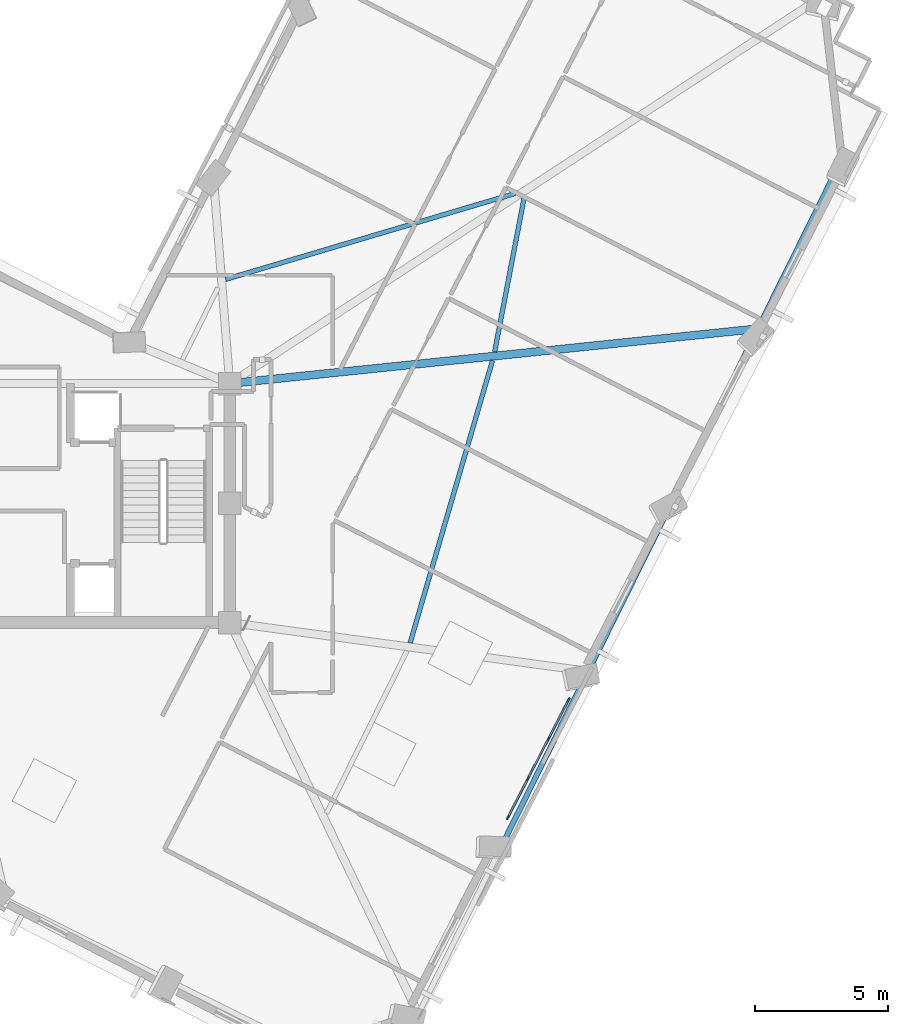
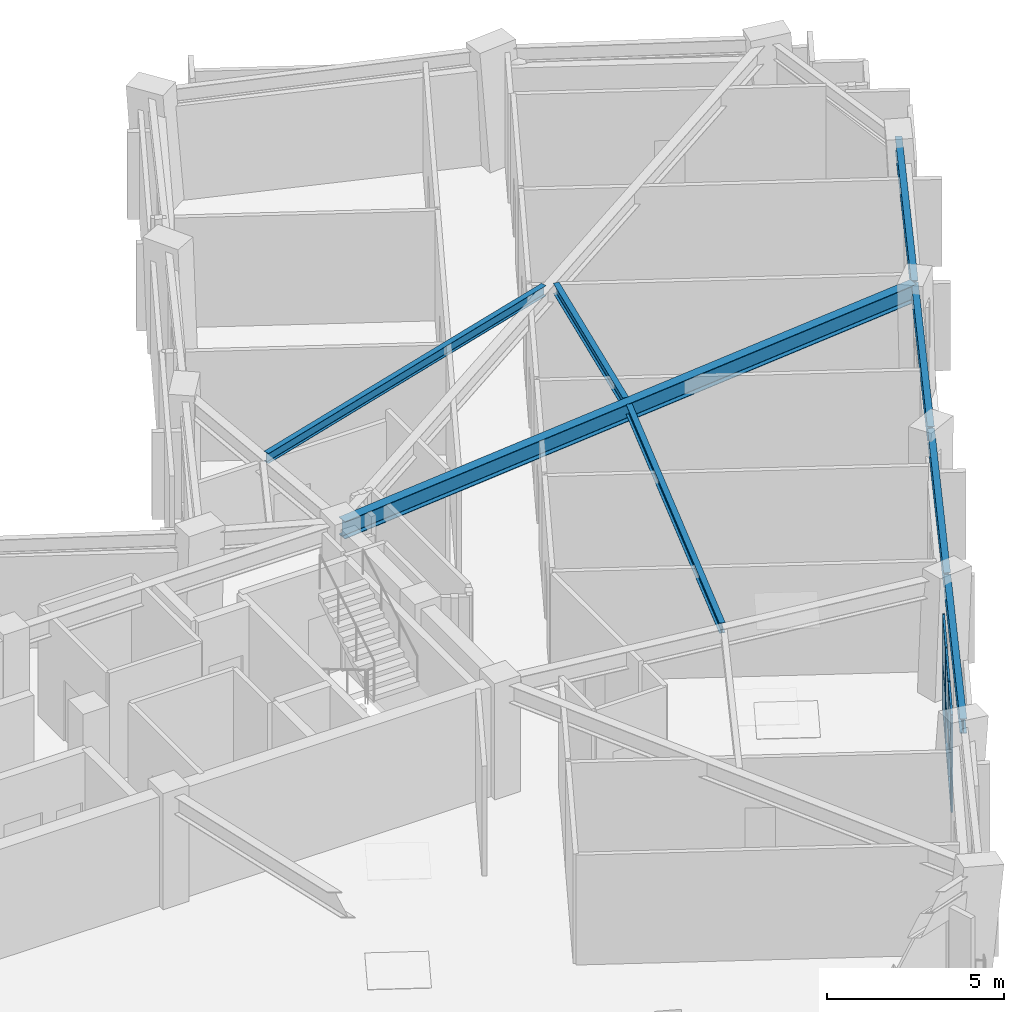
# One storey, part 2 of 11: 13 members, 8 beams, 1 element without a shape of its own.
"""IFC4 building model written with IfcOpenShell, lengths in metres."""

from ifc_helpers import new_model, si_unit, direction, frame, origin, origin_2d, place, context, subcontext, project, spatial, rectangle, i_section, extrude, material, material_profile, profile_set, type_object, element, aggregate, save


model = new_model("IFC4")

# Units and contexts
model_context = context("Model", 3, precision=1e-05, world=origin(), true_north=direction((0.0, 1.0)))
body_context = subcontext(model_context, "Body", "Model", "MODEL_VIEW")
ifc_project = project(units=[si_unit("LENGTHUNIT", "METRE"), si_unit("AREAUNIT", "SQUARE_METRE"), si_unit("VOLUMEUNIT", "CUBIC_METRE"), si_unit("PLANEANGLEUNIT", "RADIAN"), si_unit("MASSUNIT", "GRAM", prefix="KILO")], contexts=[model_context])

# Site, building, storey
site_placement = place(None, origin())
site = spatial("IfcSite", under=ifc_project, at=site_placement, CompositionType="ELEMENT")
building_placement = place(site_placement, origin())
building = spatial("IfcBuilding", under=site, at=building_placement, Name="Gaonmaruhae Medical Tower", CompositionType="ELEMENT")
storey_placement = place(building_placement, frame((0.0, 0.0, 292.60009765625)))
storey = spatial("IfcBuildingStorey", under=building, at=storey_placement, Name="L70", CompositionType="ELEMENT", Elevation=292.60009765625)

# Curtain wall, members
ifc_material_1 = material(Name="Anodised aluminium and Low-E double glazing", Category="aluminium")
curtain_wall_type = type_object("IfcCurtainWallType", Name="CW-S3 Spiralling Dayroom Ribbon Curtain Wall", PredefinedType="NOTDEFINED", material=ifc_material_1)
curtain_wall_placement = place(storey_placement, origin())
curtain_wall = element("IfcCurtainWall", 1, at=curtain_wall_placement, inside=storey, type_object=curtain_wall_type, Name="L70 Curtain Wall CW-L70-S02", PredefinedType="NOTDEFINED")
ifc_material_2 = material(Name="Anodised aluminium 6063-T6", Category="aluminium")
ifc_material_profile_1 = material_profile(ifc_material_2, rectangle(XDim=0.06494140625, YDim=0.179931640625, at=origin_2d()), Name="CWM-65x180")
ifc_profile_set_1 = profile_set([ifc_material_profile_1], Name="Anodised aluminium 6063-T6")
member_type_1 = type_object("IfcMemberType", Name="CWM-2 Tower Feature Curtain Wall Mullion (CWM-65x180)", PredefinedType="MULLION", material=ifc_profile_set_1)
member_1_placement = place(storey_placement, frame((48.35791015625, 4.880859375, 0.0), z_axis=(0.0, 0.0, 1.0), x_axis=(0.888623789366, -0.458636850866, 0.0)))
member_1 = element("IfcMember", 2, at=member_1_placement, type_object=member_type_1, Name="CW-S3 mullion 1", PredefinedType="MULLION", context=body_context, shape_type="SweptSolid", body=[
    extrude(rectangle(XDim=0.06494140625, YDim=0.179931640625, at=origin_2d()), origin(), (0.0, 0.0, 1.0), 3.264892578125),
])
member_2_placement = place(storey_placement, frame((47.602783203125, 3.417724609375, 0.0), z_axis=(0.0, 0.0, 1.0), x_axis=(0.888623789366, -0.458636850866, 0.0)))
member_2 = element("IfcMember", 3, at=member_2_placement, type_object=member_type_1, Name="CW-S3 mullion 2", PredefinedType="MULLION", context=body_context, shape_type="SweptSolid", body=[
    extrude(rectangle(XDim=0.06494140625, YDim=0.179931640625, at=origin_2d()), origin(), (0.0, 0.0, 1.0), 3.264892578125),
])
member_3_placement = place(storey_placement, frame((46.832763671875, 1.92578125, 0.0), z_axis=(0.0, 0.0, 1.0), x_axis=(0.888623789366, -0.458636850866, 0.0)))
member_3 = element("IfcMember", 4, at=member_3_placement, type_object=member_type_1, Name="CW-S3 mullion 3", PredefinedType="MULLION", context=body_context, shape_type="SweptSolid", body=[
    extrude(rectangle(XDim=0.06494140625, YDim=0.179931640625, at=origin_2d()), origin(), (0.0, 0.0, 1.0), 3.264892578125),
])
member_4_placement = place(storey_placement, frame((46.07763671875, 0.462890625, 0.0), z_axis=(0.0, 0.0, 1.0), x_axis=(0.888623789366, -0.458636850866, 0.0)))
member_4 = element("IfcMember", 5, at=member_4_placement, type_object=member_type_1, Name="CW-S3 mullion 4", PredefinedType="MULLION", context=body_context, shape_type="SweptSolid", body=[
    extrude(rectangle(XDim=0.06494140625, YDim=0.179931640625, at=origin_2d()), origin(), (0.0, 0.0, 1.0), 3.264892578125),
])
ifc_material_profile_2 = material_profile(ifc_material_2, rectangle(XDim=0.06494140625, YDim=0.139892578125, at=origin_2d()), Name="CWT-65x140")
ifc_profile_set_2 = profile_set([ifc_material_profile_2], Name="Anodised aluminium 6063-T6")
member_type_2 = type_object("IfcMemberType", Name="CWT-2 Tower Feature Curtain Wall Transom (CWT-65x140)", PredefinedType="USERDEFINED", material=ifc_profile_set_2)
member_5_placement = place(storey_placement, frame((48.3427734375, 4.85205078125, 0.032470703125), z_axis=(-0.458540666132, -0.888673425676, 0.0), x_axis=(0.888673425676, -0.458540666132, 0.0)))
member_5 = element("IfcMember", 6, at=member_5_placement, type_object=member_type_2, Name="CW-S3 transom 1.1", ObjectType="TRANSOM", PredefinedType="USERDEFINED", context=body_context, shape_type="SweptSolid", body=[
    extrude(rectangle(XDim=0.06494140625, YDim=0.139892578125, at=origin_2d()), origin(), (0.0, 0.0, 1.0), 1.581298828125),
])
member_6_placement = place(storey_placement, frame((48.3427734375, 4.85205078125, 1.63232421875), z_axis=(-0.458540666132, -0.888673425676, 0.0), x_axis=(0.888673425676, -0.458540666132, 0.0)))
member_6 = element("IfcMember", 7, at=member_6_placement, type_object=member_type_2, Name="CW-S3 transom 1.2", ObjectType="TRANSOM", PredefinedType="USERDEFINED", context=body_context, shape_type="SweptSolid", body=[
    extrude(rectangle(XDim=0.06494140625, YDim=0.139892578125, at=origin_2d()), origin(), (0.0, 0.0, 1.0), 1.581298828125),
])
member_7_placement = place(storey_placement, frame((48.3427734375, 4.85205078125, 3.232421875), z_axis=(-0.458540666132, -0.888673425676, 0.0), x_axis=(0.888673425676, -0.458540666132, 0.0)))
member_7 = element("IfcMember", 8, at=member_7_placement, type_object=member_type_2, Name="CW-S3 transom 1.3", ObjectType="TRANSOM", PredefinedType="USERDEFINED", context=body_context, shape_type="SweptSolid", body=[
    extrude(rectangle(XDim=0.06494140625, YDim=0.139892578125, at=origin_2d()), origin(), (0.0, 0.0, 1.0), 1.581298828125),
])
member_8_placement = place(storey_placement, frame((47.587890625, 3.388916015625, 0.032470703125), z_axis=(-0.458673746816, -0.888604745645, 0.0), x_axis=(0.888604745645, -0.458673746816, 0.0)))
member_8 = element("IfcMember", 9, at=member_8_placement, type_object=member_type_2, Name="CW-S3 transom 2.1", ObjectType="TRANSOM", PredefinedType="USERDEFINED", context=body_context, shape_type="SweptSolid", body=[
    extrude(rectangle(XDim=0.06494140625, YDim=0.139892578125, at=origin_2d()), origin(), (0.0, 0.0, 1.0), 1.61376953125),
])
member_9_placement = place(storey_placement, frame((47.587890625, 3.388916015625, 1.63232421875), z_axis=(-0.458673746816, -0.888604745645, 0.0), x_axis=(0.888604745645, -0.458673746816, 0.0)))
member_9 = element("IfcMember", 10, at=member_9_placement, type_object=member_type_2, Name="CW-S3 transom 2.2", ObjectType="TRANSOM", PredefinedType="USERDEFINED", context=body_context, shape_type="SweptSolid", body=[
    extrude(rectangle(XDim=0.06494140625, YDim=0.139892578125, at=origin_2d()), origin(), (0.0, 0.0, 1.0), 1.61376953125),
])
member_10_placement = place(storey_placement, frame((47.587890625, 3.388916015625, 3.232421875), z_axis=(-0.458673746816, -0.888604745645, 0.0), x_axis=(0.888604745645, -0.458673746816, 0.0)))
member_10 = element("IfcMember", 11, at=member_10_placement, type_object=member_type_2, Name="CW-S3 transom 2.3", ObjectType="TRANSOM", PredefinedType="USERDEFINED", context=body_context, shape_type="SweptSolid", body=[
    extrude(rectangle(XDim=0.06494140625, YDim=0.139892578125, at=origin_2d()), origin(), (0.0, 0.0, 1.0), 1.61376953125),
])
member_11_placement = place(storey_placement, frame((46.81787109375, 1.89697265625, 0.032470703125), z_axis=(-0.458662581843, -0.888610508613, 0.0), x_axis=(0.888610508613, -0.458662581843, 0.0)))
member_11 = element("IfcMember", 12, at=member_11_placement, type_object=member_type_2, Name="CW-S3 transom 3.1", ObjectType="TRANSOM", PredefinedType="USERDEFINED", context=body_context, shape_type="SweptSolid", body=[
    extrude(rectangle(XDim=0.06494140625, YDim=0.139892578125, at=origin_2d()), origin(), (0.0, 0.0, 1.0), 1.58154296875),
])
member_12_placement = place(storey_placement, frame((46.81787109375, 1.89697265625, 1.63232421875), z_axis=(-0.458662581843, -0.888610508613, 0.0), x_axis=(0.888610508613, -0.458662581843, 0.0)))
member_12 = element("IfcMember", 13, at=member_12_placement, type_object=member_type_2, Name="CW-S3 transom 3.2", ObjectType="TRANSOM", PredefinedType="USERDEFINED", context=body_context, shape_type="SweptSolid", body=[
    extrude(rectangle(XDim=0.06494140625, YDim=0.139892578125, at=origin_2d()), origin(), (0.0, 0.0, 1.0), 1.58154296875),
])
member_13_placement = place(storey_placement, frame((46.81787109375, 1.89697265625, 3.232421875), z_axis=(-0.458662581843, -0.888610508613, 0.0), x_axis=(0.888610508613, -0.458662581843, 0.0)))
member_13 = element("IfcMember", 14, at=member_13_placement, type_object=member_type_2, Name="CW-S3 transom 3.3", ObjectType="TRANSOM", PredefinedType="USERDEFINED", context=body_context, shape_type="SweptSolid", body=[
    extrude(rectangle(XDim=0.06494140625, YDim=0.139892578125, at=origin_2d()), origin(), (0.0, 0.0, 1.0), 1.58154296875),
])
aggregate(curtain_wall, [member_1, member_2, member_3, member_4, member_5, member_6, member_7, member_8, member_9, member_10, member_11, member_12, member_13])

# Beams
ifc_material_3 = material(Name="Steel SM355", Category="steel")
ifc_material_profile_3 = material_profile(ifc_material_3, i_section(OverallWidth=0.175048828125, OverallDepth=0.35009765625, WebThickness=0.007080078125, FlangeThickness=0.010986328125, FilletRadius=0.012939453125, at=origin_2d()), Name="H-350x175x7x11")
ifc_profile_set_3 = profile_set([ifc_material_profile_3], Name="Steel SM355")
beam_type_1 = type_object("IfcBeamType", Name="FJ-02 Upper Zone Ward Floor Joist (H-350x175x7x11)", PredefinedType="JOIST", material=ifc_profile_set_3)
beam_1_placement = place(storey_placement, frame((42.39404296875, 7.032958984375, 3.60498046875), z_axis=(0.280110808878, 0.959967673805, 0.0), x_axis=(-0.959967673805, 0.280110808878, 0.0)))
element("IfcBeam", 15, at=beam_1_placement, inside=storey, type_object=beam_type_1, Name="L70 Secondary Floor Joist FJ02", PredefinedType="JOIST", context=body_context, shape_type="SweptSolid", body=[
    extrude(i_section(OverallWidth=0.175048828125, OverallDepth=0.35009765625, WebThickness=0.007080078125, FlangeThickness=0.010986328125, FilletRadius=0.012939453125, at=origin_2d()), origin(), (0.0, 0.0, 1.0), 11.0830078125),
])
beam_2_placement = place(storey_placement, frame((45.576171875, 17.993408203125, 3.60498046875), z_axis=(0.188029531155, 0.982163375113, 0.0), x_axis=(-0.982163375113, 0.188029531155, 0.0)))
element("IfcBeam", 16, at=beam_2_placement, inside=storey, type_object=beam_type_1, Name="L70 Secondary Floor Joist FJ03", PredefinedType="JOIST", context=body_context, shape_type="SweptSolid", body=[
    extrude(i_section(OverallWidth=0.175048828125, OverallDepth=0.35009765625, WebThickness=0.007080078125, FlangeThickness=0.010986328125, FilletRadius=0.012939453125, at=origin_2d()), origin(), (0.0, 0.0, 1.0), 5.979248046875),
])
beam_3_placement = place(storey_placement, frame((46.356689453125, 23.962646484375, 3.60498046875), z_axis=(-0.95867466299, -0.284504640632, 0.0), x_axis=(0.284504640632, -0.95867466299, 0.0)))
element("IfcBeam", 17, at=beam_3_placement, inside=storey, type_object=beam_type_1, Name="L70 Secondary Floor Joist FJ04", PredefinedType="JOIST", context=body_context, shape_type="SweptSolid", body=[
    extrude(i_section(OverallWidth=0.175048828125, OverallDepth=0.35009765625, WebThickness=0.007080078125, FlangeThickness=0.010986328125, FilletRadius=0.012939453125, at=origin_2d()), origin(), (0.0, 0.0, 1.0), 11.38037109375),
])
ifc_material_4 = material(Name="Steel SM420", Category="steel")
ifc_material_profile_4 = material_profile(ifc_material_4, i_section(OverallWidth=0.300048828125, OverallDepth=0.60009765625, WebThickness=0.011962890625, FlangeThickness=0.02001953125, FilletRadius=0.012939453125, at=origin_2d()), Name="H-600x300x12x20")
ifc_profile_set_4 = profile_set([ifc_material_profile_4], Name="Steel SM420")
beam_type_2 = type_object("IfcBeamType", Name="PG-04 Zone 4 Radial Floor Girder (H-600x300x12x20)", PredefinedType="BEAM", material=ifc_profile_set_4)
beam_4_placement = place(storey_placement, frame((35.649658203125, 16.80517578125, 3.47998046875), z_axis=(0.994644270553, 0.103357510888, 0.0), x_axis=(-0.103357510888, 0.994644270553, 0.0)))
element("IfcBeam", 18, at=beam_4_placement, inside=storey, type_object=beam_type_2, Name="L70 Radial Primary Girder S05", PredefinedType="BEAM", context=body_context, shape_type="SweptSolid", body=[
    extrude(i_section(OverallWidth=0.300048828125, OverallDepth=0.60009765625, WebThickness=0.011962890625, FlangeThickness=0.02001953125, FilletRadius=0.012939453125, at=origin_2d()), origin(), (0.0, 0.0, 1.0), 19.8984375),
])
ifc_material_profile_5 = material_profile(ifc_material_3, i_section(OverallWidth=0.199951171875, OverallDepth=0.5, WebThickness=0.010009765625, FlangeThickness=0.01611328125, FilletRadius=0.012939453125, at=origin_2d()), Name="H-500x200x10x16")
ifc_profile_set_5 = profile_set([ifc_material_profile_5], Name="Steel SM355")
beam_type_3 = type_object("IfcBeamType", Name="SP-02 Upper Perimeter Spandrel Beam (H-500x200x10x16)", PredefinedType="SPANDREL", material=ifc_profile_set_5)
for number, where, z_axis, x_axis, name in (
    (19, (45.921630859375, -0.452880859375, 3.52978515625), (0.443863912983, 0.896094206404, 0.0), (-0.896094206404, 0.443863912983, 0.0), "L70 Perimeter Spandrel Beam S02-S03"),
    (20, (49.117431640625, 5.9990234375, 3.52978515625), (0.443836379254, 0.896107844208, 0.0), (-0.896107844208, 0.443836379254, 0.0), "L70 Perimeter Spandrel Beam S03-S04"),
    (21, (52.313232421875, 12.450927734375, 3.52978515625), (0.443836379254, 0.896107844208, 0.0), (-0.896107844208, 0.443836379254, 0.0), "L70 Perimeter Spandrel Beam S04-S05"),
    (22, (55.509033203125, 18.90283203125, 3.52978515625), (0.443836379254, 0.896107844208, 0.0), (-0.896107844208, 0.443836379254, 0.0), "L70 Perimeter Spandrel Beam S05-S06"),
):
    element("IfcBeam", number, at=place(storey_placement, frame(where, z_axis=z_axis, x_axis=x_axis)), inside=storey, type_object=beam_type_3, Name=name, PredefinedType="SPANDREL", context=body_context, shape_type="SweptSolid", body=[
        extrude(i_section(OverallWidth=0.199951171875, OverallDepth=0.5, WebThickness=0.010009765625, FlangeThickness=0.01611328125, FilletRadius=0.012939453125, at=origin_2d()), origin(), (0.0, 0.0, 1.0), 7.1201171875),
    ])

save(model, "model.ifc")
